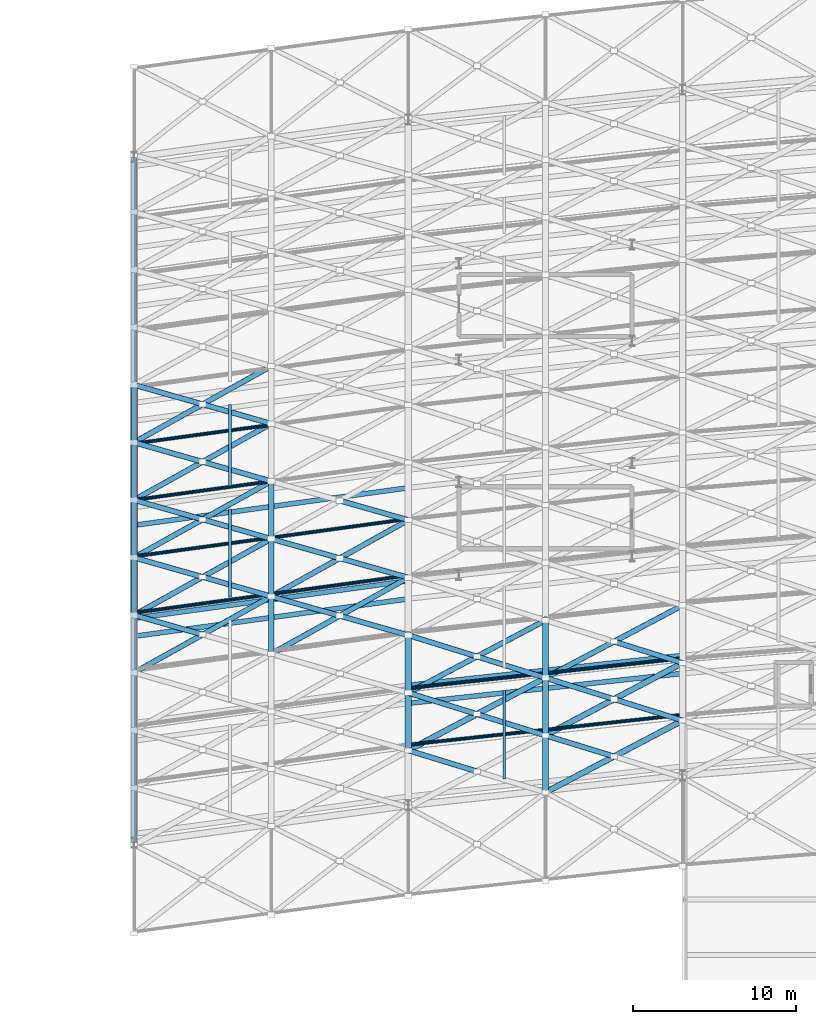
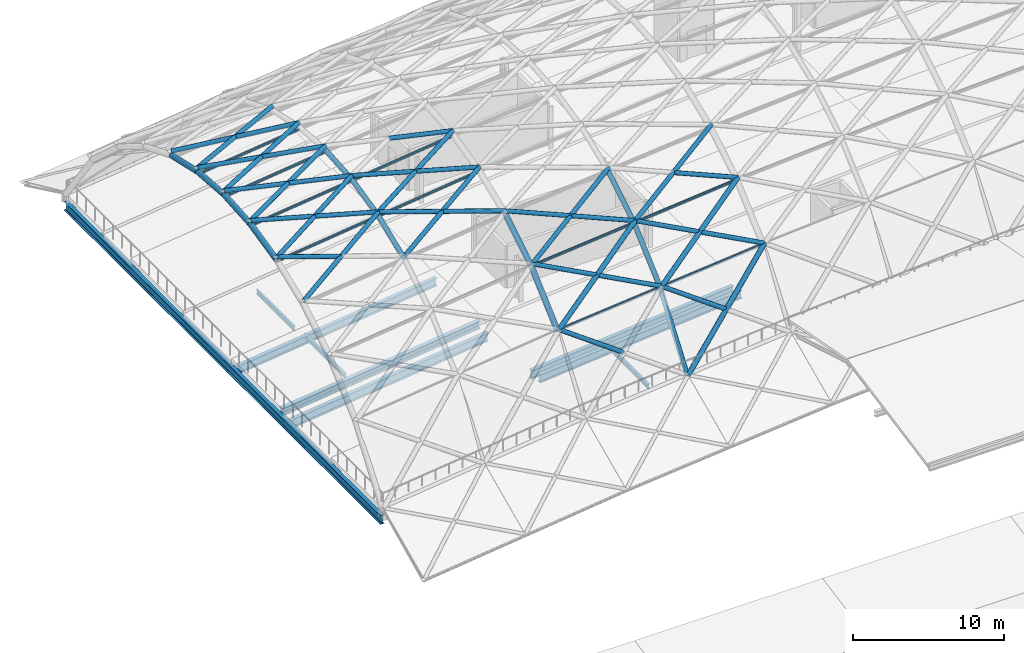
# One storey, part 12 of 100: 57 members, 9 beams.
"""IFC4 building model written with IfcOpenShell, lengths in metres."""

from ifc_helpers import new_model, si_unit, direction, frame, origin, origin_2d, place, context, subcontext, project, spatial, hollow_circle, i_section, extrude, material, material_profile, profile_set, type_object, element, save


model = new_model("IFC4")

# Units and contexts
model_context = context("Model", 3, precision=1e-05, world=origin(), true_north=direction((0.0, 1.0)))
body_context = subcontext(model_context, "Body", "Model", "MODEL_VIEW")
ifc_project = project(units=[si_unit("LENGTHUNIT", "METRE"), si_unit("AREAUNIT", "SQUARE_METRE"), si_unit("VOLUMEUNIT", "CUBIC_METRE"), si_unit("PLANEANGLEUNIT", "RADIAN"), si_unit("MASSUNIT", "GRAM", prefix="KILO")], contexts=[model_context])

# Site, building, storey
site_placement = place(None, origin())
site = spatial("IfcSite", under=ifc_project, at=site_placement, CompositionType="ELEMENT")
building_placement = place(site_placement, origin())
building = spatial("IfcBuilding", under=site, at=building_placement, Name="Kimbaza Rail Terminus", CompositionType="ELEMENT")
storey_placement = place(building_placement, frame((0.0, 0.0, 10.800048828125)))
storey = spatial("IfcBuildingStorey", under=building, at=storey_placement, Name="L02", CompositionType="ELEMENT", Elevation=10.800048828125)

# Beams
ifc_material_1 = material(Name="Steel S355", Category="steel")
ifc_material_profile_1 = material_profile(ifc_material_1, i_section(OverallWidth=0.300048828125, OverallDepth=0.64990234375, WebThickness=0.01611328125, FlangeThickness=0.031005859375, FilletRadius=0.027099609375, at=origin_2d()), Name="HEB 650")
ifc_profile_set_1 = profile_set([ifc_material_profile_1], Name="Steel S355")
beam_type_1 = type_object("IfcBeamType", Name="STR-BM-HEB650", PredefinedType="USERDEFINED", material=ifc_profile_set_1)
for number, where, z_axis, x_axis, name in (
    (1, (21.74365234375, 61.645751953125, -0.5849609375), (0.990777321611, 0.135500180745, 0.0), (-0.135500180745, 0.990777321611, 0.0), "Viaduct Chorded Girder P2 Bay 01"),
    (2, (21.74365234375, 67.345703125, -0.5849609375), (0.990777321611, 0.135500180745, 0.0), (-0.135500180745, 0.990777321611, 0.0), "Viaduct Chorded Girder P2 Bay 01"),
):
    element("IfcBeam", number, at=place(storey_placement, frame(where, z_axis=z_axis, x_axis=x_axis)), inside=storey, type_object=beam_type_1, Name=name, ObjectType="GIRDER", PredefinedType="USERDEFINED", context=body_context, shape_type="SweptSolid", body=[
        extrude(i_section(OverallWidth=0.300048828125, OverallDepth=0.64990234375, WebThickness=0.01611328125, FlangeThickness=0.031005859375, FilletRadius=0.027099609375, at=origin_2d()), origin(), (0.0, 0.0, 1.0), 16.66650390625),
    ])
beam_1_placement = place(storey_placement, frame((38.544189453125, 56.439208984375, -0.5849609375), z_axis=(0.994106987183, 0.108403404165, 0.0), x_axis=(-0.108403404165, 0.994106987183, 0.0)))
element("IfcBeam", 3, at=beam_1_placement, inside=storey, type_object=beam_type_1, Name="Viaduct Chorded Girder P1 Bay 02", ObjectType="GIRDER", PredefinedType="USERDEFINED", context=body_context, shape_type="SweptSolid", body=[
    extrude(i_section(OverallWidth=0.300048828125, OverallDepth=0.64990234375, WebThickness=0.01611328125, FlangeThickness=0.031005859375, FilletRadius=0.027099609375, at=origin_2d()), origin(), (0.0, 0.0, 1.0), 16.609619140625),
])
ifc_material_2 = material(Name="Steel S355", Category="steel")
ifc_material_profile_2 = material_profile(ifc_material_2, i_section(OverallWidth=0.300048828125, OverallDepth=0.699951171875, WebThickness=0.01708984375, FlangeThickness=0.031982421875, FilletRadius=0.027099609375, at=origin_2d()), Name="HEB 700")
ifc_profile_set_2 = profile_set([ifc_material_profile_2], Name="Steel S355")
beam_type_2 = type_object("IfcBeamType", Name="STR-BM-HEB700", PredefinedType="USERDEFINED", material=ifc_profile_set_2)
beam_2_placement = place(storey_placement, frame((21.60009765625, 47.8759765625, -0.920166015625), z_axis=(0.0, 1.0, 0.0), x_axis=(-1.0, 0.0, 0.0)))
element("IfcBeam", 4, at=beam_2_placement, inside=storey, type_object=beam_type_2, Name="Viaduct Pier Crosshead Girder VP-01", ObjectType="GIRDER", PredefinedType="USERDEFINED", context=body_context, shape_type="SweptSolid", body=[
    extrude(i_section(OverallWidth=0.300048828125, OverallDepth=0.699951171875, WebThickness=0.01708984375, FlangeThickness=0.031982421875, FilletRadius=0.027099609375, at=origin_2d()), origin(), (0.0, 0.0, 1.0), 42.0),
])
beam_3_placement = place(storey_placement, frame((21.74365234375, 60.545654296875, -0.920166015625), z_axis=(0.990777321611, 0.135500180745, 0.0), x_axis=(-0.135500180745, 0.990777321611, 0.0)))
element("IfcBeam", 5, at=beam_3_placement, inside=storey, type_object=beam_type_2, Name="Viaduct Chorded Girder TR12 Bay 01", ObjectType="GIRDER", PredefinedType="USERDEFINED", context=body_context, shape_type="SweptSolid", body=[
    extrude(i_section(OverallWidth=0.300048828125, OverallDepth=0.699951171875, WebThickness=0.01708984375, FlangeThickness=0.031982421875, FilletRadius=0.027099609375, at=origin_2d()), origin(), (0.0, 0.0, 1.0), 16.66650390625),
])
beam_4_placement = place(storey_placement, frame((38.544189453125, 57.539306640625, -0.920166015625), z_axis=(0.994108571086, 0.108388878093, 0.0), x_axis=(-0.108388878093, 0.994108571086, 0.0)))
element("IfcBeam", 6, at=beam_4_placement, inside=storey, type_object=beam_type_2, Name="Viaduct Chorded Girder TR12 Bay 02", ObjectType="GIRDER", PredefinedType="USERDEFINED", context=body_context, shape_type="SweptSolid", body=[
    extrude(i_section(OverallWidth=0.300048828125, OverallDepth=0.699951171875, WebThickness=0.01708984375, FlangeThickness=0.031982421875, FilletRadius=0.027099609375, at=origin_2d()), origin(), (0.0, 0.0, 1.0), 16.609619140625),
])
ifc_material_3 = material(Name="Steel S355", Category="steel")
ifc_material_profile_3 = material_profile(ifc_material_3, i_section(OverallWidth=0.169921875, OverallDepth=0.360107421875, WebThickness=0.008056640625, FlangeThickness=0.0126953125, FilletRadius=0.01806640625, at=origin_2d()), Name="IPE 360")
ifc_profile_set_3 = profile_set([ifc_material_profile_3], Name="Steel S355")
beam_type_3 = type_object("IfcBeamType", Name="STR-BM-IPE360", PredefinedType="JOIST", material=ifc_profile_set_3)
beam_5_placement = place(storey_placement, frame((27.47998046875, 62.919921875, -0.43994140625), z_axis=(0.0, 1.0, 0.0), x_axis=(-1.0, 0.0, 0.0)))
element("IfcBeam", 7, at=beam_5_placement, inside=storey, type_object=beam_type_3, Name="Viaduct Diaphragm P2 Bay 01", PredefinedType="JOIST", context=body_context, shape_type="SweptSolid", body=[
    extrude(i_section(OverallWidth=0.169921875, OverallDepth=0.360107421875, WebThickness=0.008056640625, FlangeThickness=0.0126953125, FilletRadius=0.01806640625, at=origin_2d()), origin(), (0.0, 0.0, 1.0), 5.409912109375),
])
beam_6_placement = place(storey_placement, frame((27.47998046875, 69.7197265625, -0.75), z_axis=(0.0, 1.0, 0.0), x_axis=(-1.0, 0.0, 0.0)))
element("IfcBeam", 8, at=beam_6_placement, inside=storey, type_object=beam_type_3, Name="Viaduct Diaphragm TR34 Bay 01", PredefinedType="JOIST", context=body_context, shape_type="SweptSolid", body=[
    extrude(i_section(OverallWidth=0.169921875, OverallDepth=0.360107421875, WebThickness=0.008056640625, FlangeThickness=0.0126953125, FilletRadius=0.01806640625, at=origin_2d()), origin(), (0.0, 0.0, 1.0), 5.010009765625),
])
beam_7_placement = place(storey_placement, frame((44.280029296875, 51.784423828125, -0.43994140625), z_axis=(0.0, 1.0, 0.0), x_axis=(-1.0, 0.0, 0.0)))
element("IfcBeam", 9, at=beam_7_placement, inside=storey, type_object=beam_type_3, Name="Viaduct Diaphragm P1 Bay 02", PredefinedType="JOIST", context=body_context, shape_type="SweptSolid", body=[
    extrude(i_section(OverallWidth=0.169921875, OverallDepth=0.360107421875, WebThickness=0.008056640625, FlangeThickness=0.0126953125, FilletRadius=0.01806640625, at=origin_2d()), origin(), (0.0, 0.0, 1.0), 5.41015625),
])

# Members
ifc_material_4 = material(Name="White painted steel S355", Category="steel")
ifc_material_profile_4 = material_profile(ifc_material_4, hollow_circle(Radius=0.109619140625, WallThickness=0.008056640625, at=origin_2d()), Name="CHS 219.1x8")
ifc_profile_set_4 = profile_set([ifc_material_profile_4], Name="White painted steel S355")
member_type_1 = type_object("IfcMemberType", Name="STR-MB-CHS219", PredefinedType="PURLIN", material=ifc_profile_set_4)
for number, where, z_axis, x_axis, name in (
    (10, (21.60009765625, 61.9619140625, 11.462158203125), (0.990775062808, 0.135516696087, 0.0), (-0.135516696087, 0.990775062808, 0.0), "Vault lattice longitudinal purlin VR-00-VA05"),
    (11, (21.60009765625, 65.4189453125, 12.25244140625), (0.990775062808, 0.135516696087, 0.0), (-0.135516696087, 0.990775062808, 0.0), "Vault lattice longitudinal purlin VR-00-VA06"),
    (12, (21.60009765625, 68.8759765625, 12.510009765625), (0.990775062808, 0.135516696087, 0.0), (-0.135516696087, 0.990775062808, 0.0), "Vault lattice longitudinal purlin VR-00-VA07"),
    (13, (21.60009765625, 72.3330078125, 12.25244140625), (0.990775062808, 0.135516696087, 0.0), (-0.135516696087, 0.990775062808, 0.0), "Vault lattice longitudinal purlin VR-00-VA08"),
    (14, (30.0, 63.11083984375, 11.462158203125), (0.990778928837, 0.135488428186, 0.0), (-0.135488428186, 0.990778928837, 0.0), "Vault lattice longitudinal purlin VR-01-VA05"),
    (15, (30.0, 66.56787109375, 12.25244140625), (0.990778928837, 0.135488428186, 0.0), (-0.135488428186, 0.990778928837, 0.0), "Vault lattice longitudinal purlin VR-01-VA06"),
):
    element("IfcMember", number, at=place(storey_placement, frame(where, z_axis=z_axis, x_axis=x_axis)), inside=storey, type_object=member_type_1, Name=name, PredefinedType="PURLIN", context=body_context, shape_type="SweptSolid", body=[
        extrude(hollow_circle(Radius=0.109619140625, WallThickness=0.008056640625, at=origin_2d()), origin(), (0.0, 0.0, 1.0), 8.47802734375),
    ])
for number, where, z_axis, x_axis, name in (
    (16, (38.39990234375, 53.888427734375, 4.85205078125), (0.994109932891, 0.108376387313, 0.0), (-0.108376387313, 0.994109932891, 0.0), "Vault lattice longitudinal purlin VR-02-VA02"),
    (17, (38.39990234375, 57.345458984375, 7.9716796875), (0.994109932891, 0.108376387313, 0.0), (-0.108376387313, 0.994109932891, 0.0), "Vault lattice longitudinal purlin VR-02-VA03"),
):
    element("IfcMember", number, at=place(storey_placement, frame(where, z_axis=z_axis, x_axis=x_axis)), inside=storey, type_object=member_type_1, Name=name, PredefinedType="PURLIN", context=body_context, shape_type="SweptSolid", body=[
        extrude(hollow_circle(Radius=0.109619140625, WallThickness=0.008056640625, at=origin_2d()), origin(), (0.0, 0.0, 1.0), 8.449951171875),
    ])
for number, where, z_axis, x_axis, name in (
    (18, (46.800048828125, 54.80419921875, 4.85205078125), (0.994106480102, 0.108408054216, 0.0), (-0.108408054216, 0.994106480102, 0.0), "Vault lattice longitudinal purlin VR-03-VA02"),
    (19, (46.800048828125, 58.26123046875, 7.9716796875), (0.994106480102, 0.108408054216, 0.0), (-0.108408054216, 0.994106480102, 0.0), "Vault lattice longitudinal purlin VR-03-VA03"),
):
    element("IfcMember", number, at=place(storey_placement, frame(where, z_axis=z_axis, x_axis=x_axis)), inside=storey, type_object=member_type_1, Name=name, PredefinedType="PURLIN", context=body_context, shape_type="SweptSolid", body=[
        extrude(hollow_circle(Radius=0.109619140625, WallThickness=0.008056640625, at=origin_2d()), origin(), (0.0, 0.0, 1.0), 8.44970703125),
    ])
ifc_material_5 = material(Name="White painted steel S355", Category="steel")
ifc_material_profile_5 = material_profile(ifc_material_5, hollow_circle(Radius=0.161865234375, WallThickness=0.010009765625, at=origin_2d()), Name="CHS 323.9x10")
ifc_profile_set_5 = profile_set([ifc_material_profile_5], Name="White painted steel S355")
member_type_2 = type_object("IfcMemberType", Name="STR-MB-CHS323", PredefinedType="STRUT", material=ifc_profile_set_5)
member_1_placement = place(storey_placement, frame((21.60009765625, 58.296142578125, 10.499755859375), z_axis=(0.864506391462, 0.481174719424, 0.145256974046), x_axis=(-0.486332783542, 0.873773668436, 0.0)))
element("IfcMember", 20, at=member_1_placement, inside=storey, type_object=member_type_2, Name="Vault lattice diagonal A VR-00-VA04", PredefinedType="STRUT", context=body_context, shape_type="SweptSolid", body=[
    extrude(hollow_circle(Radius=0.161865234375, WallThickness=0.010009765625, at=origin_2d()), origin(), (0.0, 0.0, 1.0), 9.71630859375),
])
member_2_placement = place(storey_placement, frame((25.800048828125, 60.6337890625, 11.20556640625), z_axis=(-0.949859093603, 0.268895761544, 0.159570585393), x_axis=(-0.272385973351, -0.962188069725, 0.0)))
element("IfcMember", 21, at=member_2_placement, inside=storey, type_object=member_type_2, Name="Vault lattice diagonal B2 VR-00-VA04", PredefinedType="STRUT", context=body_context, shape_type="SweptSolid", body=[
    extrude(hollow_circle(Radius=0.161865234375, WallThickness=0.010009765625, at=origin_2d()), origin(), (0.0, 0.0, 1.0), 4.421630859375),
])
member_3_placement = place(storey_placement, frame((21.60009765625, 61.82275390625, 11.9111328125), z_axis=(0.87071755489, 0.48463178446, 0.083564185498), x_axis=(-0.486332783542, 0.873773668436, 0.0)))
element("IfcMember", 22, at=member_3_placement, inside=storey, type_object=member_type_2, Name="Vault lattice diagonal A VR-00-VA05", PredefinedType="STRUT", context=body_context, shape_type="SweptSolid", body=[
    extrude(hollow_circle(Radius=0.161865234375, WallThickness=0.010009765625, at=origin_2d()), origin(), (0.0, 0.0, 1.0), 9.647216796875),
])
for number, where, z_axis, x_axis, name in (
    (23, (30.0, 62.971435546875, 11.9111328125), (-0.958111742966, 0.271232005362, 0.09195154843), (-0.272385973351, -0.962188069725, 0.0), "Vault lattice diagonal B1 VR-00-VA05"),
    (24, (25.800048828125, 64.160400390625, 12.314208984375), (-0.958111742966, 0.271232005362, 0.09195154843), (-0.272385973351, -0.962188069725, 0.0), "Vault lattice diagonal B2 VR-00-VA05"),
):
    element("IfcMember", number, at=place(storey_placement, frame(where, z_axis=z_axis, x_axis=x_axis)), inside=storey, type_object=member_type_2, Name=name, PredefinedType="STRUT", context=body_context, shape_type="SweptSolid", body=[
        extrude(hollow_circle(Radius=0.161865234375, WallThickness=0.010009765625, at=origin_2d()), origin(), (0.0, 0.0, 1.0), 4.383544921875),
    ])
member_4_placement = place(storey_placement, frame((21.60009765625, 65.349365234375, 12.71728515625), z_axis=(0.873436841779, 0.486170695719, 0.027315527575), x_axis=(-0.486352172507, 0.87376287647, 0.0)))
element("IfcMember", 25, at=member_4_placement, inside=storey, type_object=member_type_2, Name="Vault lattice diagonal A VR-00-VA06", PredefinedType="STRUT", context=body_context, shape_type="SweptSolid", body=[
    extrude(hollow_circle(Radius=0.161865234375, WallThickness=0.010009765625, at=origin_2d()), origin(), (0.0, 0.0, 1.0), 9.6171875),
])
for number, where, z_axis, x_axis, name in (
    (26, (30.0, 66.498046875, 12.71728515625), (-0.961752747069, 0.272262737791, 0.030077485202), (-0.272385973351, -0.962188069725, 0.0), "Vault lattice diagonal B1 VR-00-VA06"),
    (27, (25.800048828125, 67.68701171875, 12.8486328125), (-0.961752747069, 0.272262737791, 0.030077485202), (-0.272385973351, -0.962188069725, 0.0), "Vault lattice diagonal B2 VR-00-VA06"),
):
    element("IfcMember", number, at=place(storey_placement, frame(where, z_axis=z_axis, x_axis=x_axis)), inside=storey, type_object=member_type_2, Name=name, PredefinedType="STRUT", context=body_context, shape_type="SweptSolid", body=[
        extrude(hollow_circle(Radius=0.161865234375, WallThickness=0.010009765625, at=origin_2d()), origin(), (0.0, 0.0, 1.0), 4.366943359375),
    ])
member_5_placement = place(storey_placement, frame((21.60009765625, 68.8759765625, 12.97998046875), z_axis=(0.873436841779, 0.486170695719, -0.027315527575), x_axis=(-0.486352172507, 0.87376287647, 0.0)))
element("IfcMember", 28, at=member_5_placement, inside=storey, type_object=member_type_2, Name="Vault lattice diagonal A VR-00-VA07", PredefinedType="STRUT", context=body_context, shape_type="SweptSolid", body=[
    extrude(hollow_circle(Radius=0.161865234375, WallThickness=0.010009765625, at=origin_2d()), origin(), (0.0, 0.0, 1.0), 9.6171875),
])
for number, where, z_axis, x_axis, name in (
    (29, (30.0, 70.02490234375, 12.97998046875), (-0.961752747069, 0.272262737791, -0.030077485202), (-0.272385973351, -0.962188069725, 0.0), "Vault lattice diagonal B1 VR-00-VA07"),
    (30, (25.800048828125, 71.2138671875, 12.8486328125), (-0.961752747069, 0.272262737791, -0.030077485202), (-0.272385973351, -0.962188069725, 0.0), "Vault lattice diagonal B2 VR-00-VA07"),
):
    element("IfcMember", number, at=place(storey_placement, frame(where, z_axis=z_axis, x_axis=x_axis)), inside=storey, type_object=member_type_2, Name=name, PredefinedType="STRUT", context=body_context, shape_type="SweptSolid", body=[
        extrude(hollow_circle(Radius=0.161865234375, WallThickness=0.010009765625, at=origin_2d()), origin(), (0.0, 0.0, 1.0), 4.366943359375),
    ])
member_6_placement = place(storey_placement, frame((21.60009765625, 72.40283203125, 12.71728515625), z_axis=(0.87071755489, 0.48463178446, -0.083564185498), x_axis=(-0.486332783542, 0.873773668436, 0.0)))
element("IfcMember", 31, at=member_6_placement, inside=storey, type_object=member_type_2, Name="Vault lattice diagonal A VR-00-VA08", PredefinedType="STRUT", context=body_context, shape_type="SweptSolid", body=[
    extrude(hollow_circle(Radius=0.161865234375, WallThickness=0.010009765625, at=origin_2d()), origin(), (0.0, 0.0, 1.0), 9.647216796875),
])
for number, where, z_axis, x_axis, name in (
    (32, (30.0, 73.551513671875, 12.71728515625), (-0.958111742966, 0.271232005362, -0.09195154843), (-0.272385973351, -0.962188069725, 0.0), "Vault lattice diagonal B1 VR-00-VA08"),
    (33, (25.800048828125, 74.740478515625, 12.314208984375), (-0.958111742966, 0.271232005362, -0.09195154843), (-0.272385973351, -0.962188069725, 0.0), "Vault lattice diagonal B2 VR-00-VA08"),
):
    element("IfcMember", number, at=place(storey_placement, frame(where, z_axis=z_axis, x_axis=x_axis)), inside=storey, type_object=member_type_2, Name=name, PredefinedType="STRUT", context=body_context, shape_type="SweptSolid", body=[
        extrude(hollow_circle(Radius=0.161865234375, WallThickness=0.010009765625, at=origin_2d()), origin(), (0.0, 0.0, 1.0), 4.383544921875),
    ])
member_7_placement = place(storey_placement, frame((30.0, 59.44482421875, 10.499755859375), z_axis=(0.864495939243, 0.481194028147, 0.145255217833), x_axis=(-0.486352172507, 0.87376287647, 0.0)))
element("IfcMember", 34, at=member_7_placement, inside=storey, type_object=member_type_2, Name="Vault lattice diagonal A VR-01-VA04", PredefinedType="STRUT", context=body_context, shape_type="SweptSolid", body=[
    extrude(hollow_circle(Radius=0.161865234375, WallThickness=0.010009765625, at=origin_2d()), origin(), (0.0, 0.0, 1.0), 9.716552734375),
])
for number, where, z_axis, x_axis, name in (
    (35, (38.39990234375, 60.593505859375, 10.499755859375), (-0.949850723392, 0.26889339202, 0.159624393497), (-0.272385973351, -0.962188069725, 0.0), "Vault lattice diagonal B1 VR-01-VA04"),
    (36, (34.199951171875, 61.782470703125, 11.20556640625), (-0.949859093603, 0.268895761544, 0.159570585393), (-0.272385973351, -0.962188069725, 0.0), "Vault lattice diagonal B2 VR-01-VA04"),
):
    element("IfcMember", number, at=place(storey_placement, frame(where, z_axis=z_axis, x_axis=x_axis)), inside=storey, type_object=member_type_2, Name=name, PredefinedType="STRUT", context=body_context, shape_type="SweptSolid", body=[
        extrude(hollow_circle(Radius=0.161865234375, WallThickness=0.010009765625, at=origin_2d()), origin(), (0.0, 0.0, 1.0), 4.421630859375),
    ])
member_8_placement = place(storey_placement, frame((30.0, 62.971435546875, 11.9111328125), z_axis=(0.870706875765, 0.48465114741, 0.083563160605), x_axis=(-0.486352172507, 0.87376287647, 0.0)))
element("IfcMember", 37, at=member_8_placement, inside=storey, type_object=member_type_2, Name="Vault lattice diagonal A VR-01-VA05", PredefinedType="STRUT", context=body_context, shape_type="SweptSolid", body=[
    extrude(hollow_circle(Radius=0.161865234375, WallThickness=0.010009765625, at=origin_2d()), origin(), (0.0, 0.0, 1.0), 9.647216796875),
])
for number, where, z_axis, x_axis, name in (
    (38, (38.39990234375, 64.120361328125, 11.9111328125), (-0.958126215158, 0.271180406999, 0.09195293735), (-0.272334190538, -0.962202727425, 0.0), "Vault lattice diagonal B1 VR-01-VA05"),
    (39, (34.199951171875, 65.30908203125, 12.314208984375), (-0.958111742966, 0.271232005362, 0.09195154843), (-0.272385973351, -0.962188069725, 0.0), "Vault lattice diagonal B2 VR-01-VA05"),
):
    element("IfcMember", number, at=place(storey_placement, frame(where, z_axis=z_axis, x_axis=x_axis)), inside=storey, type_object=member_type_2, Name=name, PredefinedType="STRUT", context=body_context, shape_type="SweptSolid", body=[
        extrude(hollow_circle(Radius=0.161865234375, WallThickness=0.010009765625, at=origin_2d()), origin(), (0.0, 0.0, 1.0), 4.383544921875),
    ])
member_9_placement = place(storey_placement, frame((38.39990234375, 67.64697265625, 12.71728515625), z_axis=(-0.961752747069, 0.272262737791, 0.030077485202), x_axis=(-0.272385973351, -0.962188069725, 0.0)))
element("IfcMember", 40, at=member_9_placement, inside=storey, type_object=member_type_2, Name="Vault lattice diagonal B1 VR-01-VA06", PredefinedType="STRUT", context=body_context, shape_type="SweptSolid", body=[
    extrude(hollow_circle(Radius=0.161865234375, WallThickness=0.010009765625, at=origin_2d()), origin(), (0.0, 0.0, 1.0), 4.366943359375),
])
member_10_placement = place(storey_placement, frame((42.60009765625, 52.252685546875, 2.615966796875), z_axis=(-0.826736159751, 0.253441438417, 0.502269608331), x_axis=(-0.293093781494, -0.956083696781, 0.0)))
element("IfcMember", 41, at=member_10_placement, inside=storey, type_object=member_type_2, Name="Vault lattice diagonal B2 VR-02-VA01", PredefinedType="STRUT", context=body_context, shape_type="SweptSolid", body=[
    extrude(hollow_circle(Radius=0.161865234375, WallThickness=0.010009765625, at=origin_2d()), origin(), (0.0, 0.0, 1.0), 5.08056640625),
])
member_11_placement = place(storey_placement, frame((46.800048828125, 54.456298828125, 5.167724609375), z_axis=(-0.897980421966, 0.279056172518, 0.340233470347), x_axis=(-0.296760615771, -0.954951902939, 0.0)))
element("IfcMember", 42, at=member_11_placement, inside=storey, type_object=member_type_2, Name="Vault lattice diagonal B1 VR-02-VA02", PredefinedType="STRUT", context=body_context, shape_type="SweptSolid", body=[
    extrude(hollow_circle(Radius=0.161865234375, WallThickness=0.010009765625, at=origin_2d()), origin(), (0.0, 0.0, 1.0), 4.677001953125),
])
member_12_placement = place(storey_placement, frame((42.60009765625, 55.761474609375, 6.759033203125), z_axis=(-0.897977448357, 0.279091223923, 0.340212567333), x_axis=(-0.29679550395, -0.954941060399, 0.0)))
element("IfcMember", 43, at=member_12_placement, inside=storey, type_object=member_type_2, Name="Vault lattice diagonal B2 VR-02-VA02", PredefinedType="STRUT", context=body_context, shape_type="SweptSolid", body=[
    extrude(hollow_circle(Radius=0.161865234375, WallThickness=0.010009765625, at=origin_2d()), origin(), (0.0, 0.0, 1.0), 4.677490234375),
])
member_13_placement = place(storey_placement, frame((38.39990234375, 57.06689453125, 8.350341796875), z_axis=(0.862202786726, 0.455997445579, 0.220618866345), x_axis=(-0.467517020332, 0.883984069823, 0.0)))
element("IfcMember", 44, at=member_13_placement, inside=storey, type_object=member_type_2, Name="Vault lattice diagonal A VR-02-VA03", PredefinedType="STRUT", context=body_context, shape_type="SweptSolid", body=[
    extrude(hollow_circle(Radius=0.161865234375, WallThickness=0.010009765625, at=origin_2d()), origin(), (0.0, 0.0, 1.0), 9.74267578125),
])
for number, where, z_axis, x_axis, name in (
    (45, (46.800048828125, 57.98291015625, 8.350341796875), (-0.927643307476, 0.288328126785, 0.237370565571), (-0.296811236638, -0.95493617054, 0.0), "Vault lattice diagonal B1 VR-02-VA03"),
    (46, (42.60009765625, 59.288330078125, 9.425048828125), (-0.927665248331, 0.288264265146, 0.237362382188), (-0.296744885248, -0.95495679121, 0.0), "Vault lattice diagonal B2 VR-02-VA03"),
):
    element("IfcMember", number, at=place(storey_placement, frame(where, z_axis=z_axis, x_axis=x_axis)), inside=storey, type_object=member_type_2, Name=name, PredefinedType="STRUT", context=body_context, shape_type="SweptSolid", body=[
        extrude(hollow_circle(Radius=0.161865234375, WallThickness=0.010009765625, at=origin_2d()), origin(), (0.0, 0.0, 1.0), 4.527587890625),
    ])
member_14_placement = place(storey_placement, frame((51.0, 53.168701171875, 2.615966796875), z_axis=(-0.826720949123, 0.253451507625, 0.502289563462), x_axis=(-0.293109355165, -0.95607892243, 0.0)))
element("IfcMember", 47, at=member_14_placement, inside=storey, type_object=member_type_2, Name="Vault lattice diagonal B2 VR-03-VA01", PredefinedType="STRUT", context=body_context, shape_type="SweptSolid", body=[
    extrude(hollow_circle(Radius=0.161865234375, WallThickness=0.010009765625, at=origin_2d()), origin(), (0.0, 0.0, 1.0), 5.080322265625),
])
for number, where, z_axis, x_axis, name in (
    (48, (55.199951171875, 55.3720703125, 5.167724609375), (-0.897967340624, 0.279104305663, 0.340228513991), (-0.296811236638, -0.95493617054, 0.0), "Vault lattice diagonal B1 VR-03-VA02"),
    (49, (51.0, 56.677490234375, 6.759033203125), (-0.897967340624, 0.279104305663, 0.340228513991), (-0.296811236638, -0.95493617054, 0.0), "Vault lattice diagonal B2 VR-03-VA02"),
):
    element("IfcMember", number, at=place(storey_placement, frame(where, z_axis=z_axis, x_axis=x_axis)), inside=storey, type_object=member_type_2, Name=name, PredefinedType="STRUT", context=body_context, shape_type="SweptSolid", body=[
        extrude(hollow_circle(Radius=0.161865234375, WallThickness=0.010009765625, at=origin_2d()), origin(), (0.0, 0.0, 1.0), 4.67724609375),
    ])
member_15_placement = place(storey_placement, frame((46.800048828125, 57.98291015625, 8.350341796875), z_axis=(0.862196356235, 0.456007297983, 0.220623633096), x_axis=(-0.46752763846, 0.883978454079, 0.0)))
element("IfcMember", 50, at=member_15_placement, inside=storey, type_object=member_type_2, Name="Vault lattice diagonal A VR-03-VA03", PredefinedType="STRUT", context=body_context, shape_type="SweptSolid", body=[
    extrude(hollow_circle(Radius=0.161865234375, WallThickness=0.010009765625, at=origin_2d()), origin(), (0.0, 0.0, 1.0), 9.742431640625),
])
member_16_placement = place(storey_placement, frame((55.199951171875, 58.898681640625, 8.350341796875), z_axis=(-0.927643307476, 0.288328126785, 0.237370565571), x_axis=(-0.296811236638, -0.95493617054, 0.0)))
element("IfcMember", 51, at=member_16_placement, inside=storey, type_object=member_type_2, Name="Vault lattice diagonal B1 VR-03-VA03", PredefinedType="STRUT", context=body_context, shape_type="SweptSolid", body=[
    extrude(hollow_circle(Radius=0.161865234375, WallThickness=0.010009765625, at=origin_2d()), origin(), (0.0, 0.0, 1.0), 4.527587890625),
])
ifc_material_6 = material(Name="White painted steel S355", Category="steel")
ifc_material_profile_6 = material_profile(ifc_material_6, hollow_circle(Radius=0.177734375, WallThickness=0.012451171875, at=origin_2d()), Name="CHS 355.6x12.5")
ifc_profile_set_6 = profile_set([ifc_material_profile_6], Name="White painted steel S355")
member_type_3 = type_object("IfcMemberType", Name="STR-MB-CHS355", PredefinedType="CHORD", material=ifc_profile_set_6)
member_17_placement = place(storey_placement, frame((30.0, 59.578125, 10.23095703125), z_axis=(0.0, 0.928413829694, 0.37154779078), x_axis=(-1.0, 0.0, 0.0)))
element("IfcMember", 52, at=member_17_placement, inside=storey, type_object=member_type_3, Name="Vault lattice arch chord VR-01 seg 5", PredefinedType="CHORD", context=body_context, shape_type="SweptSolid", body=[
    extrude(hollow_circle(Radius=0.177734375, WallThickness=0.012451171875, at=origin_2d()), origin(), (0.0, 0.0, 1.0), 3.750732421875),
])
member_18_placement = place(storey_placement, frame((30.0, 63.060302734375, 11.62451171875), z_axis=(0.0, 0.974845354939, 0.22288233208), x_axis=(-1.0, 0.0, 0.0)))
element("IfcMember", 53, at=member_18_placement, inside=storey, type_object=member_type_3, Name="Vault lattice arch chord VR-01 seg 6", PredefinedType="CHORD", context=body_context, shape_type="SweptSolid", body=[
    extrude(hollow_circle(Radius=0.177734375, WallThickness=0.012451171875, at=origin_2d()), origin(), (0.0, 0.0, 1.0), 3.572021484375),
])
member_19_placement = place(storey_placement, frame((30.0, 66.54248046875, 12.420654296875), z_axis=(0.0, 0.997239832813, 0.074247665623), x_axis=(-1.0, 0.0, 0.0)))
element("IfcMember", 54, at=member_19_placement, inside=storey, type_object=member_type_3, Name="Vault lattice arch chord VR-01 seg 7", PredefinedType="CHORD", context=body_context, shape_type="SweptSolid", body=[
    extrude(hollow_circle(Radius=0.177734375, WallThickness=0.012451171875, at=origin_2d()), origin(), (0.0, 0.0, 1.0), 3.491943359375),
])
member_20_placement = place(storey_placement, frame((46.800048828125, 51.089599609375, 0.0), z_axis=(0.0, 0.585733481953, 0.810503724926), x_axis=(-1.0, 0.0, 0.0)))
element("IfcMember", 55, at=member_20_placement, inside=storey, type_object=member_type_3, Name="Vault lattice arch chord VR-03 seg 2", PredefinedType="CHORD", context=body_context, shape_type="SweptSolid", body=[
    extrude(hollow_circle(Radius=0.177734375, WallThickness=0.012451171875, at=origin_2d()), origin(), (0.0, 0.0, 1.0), 6.127197265625),
])
member_21_placement = place(storey_placement, frame((46.800048828125, 54.678466796875, 4.966064453125), z_axis=(0.0, 0.742379857618, 0.669979213859), x_axis=(-1.0, 0.0, 0.0)))
element("IfcMember", 56, at=member_21_placement, inside=storey, type_object=member_type_3, Name="Vault lattice arch chord VR-03 seg 3", PredefinedType="CHORD", context=body_context, shape_type="SweptSolid", body=[
    extrude(hollow_circle(Radius=0.177734375, WallThickness=0.012451171875, at=origin_2d()), origin(), (0.0, 0.0, 1.0), 4.690673828125),
])
member_22_placement = place(storey_placement, frame((46.800048828125, 58.16064453125, 8.108642578125), z_axis=(0.0, 0.853901304322, 0.520434974302), x_axis=(-1.0, 0.0, 0.0)))
element("IfcMember", 57, at=member_22_placement, inside=storey, type_object=member_type_3, Name="Vault lattice arch chord VR-03 seg 4", PredefinedType="CHORD", context=body_context, shape_type="SweptSolid", body=[
    extrude(hollow_circle(Radius=0.177734375, WallThickness=0.012451171875, at=origin_2d()), origin(), (0.0, 0.0, 1.0), 4.077880859375),
])
member_23_placement = place(storey_placement, frame((38.39990234375, 53.540283203125, 5.167724609375), z_axis=(0.838220900018, 0.443314026728, 0.317582109822), x_axis=(-0.467517020332, 0.883984069823, 0.0)))
element("IfcMember", 58, at=member_23_placement, inside=storey, type_object=member_type_3, Name="Vault lattice diagonal A VR-02-VA02", PredefinedType="CHORD", context=body_context, shape_type="SweptSolid", body=[
    extrude(hollow_circle(Radius=0.177734375, WallThickness=0.012451171875, at=origin_2d()), origin(), (0.0, 0.0, 1.0), 10.021484375),
])
member_24_placement = place(storey_placement, frame((46.800048828125, 50.965087890625, 0.064208984375), z_axis=(0.77982488755, 0.409132681659, 0.473796996145), x_axis=(-0.464588737512, 0.885526569323, 0.0)))
element("IfcMember", 59, at=member_24_placement, inside=storey, type_object=member_type_3, Name="Vault lattice diagonal A VR-03-VA01", PredefinedType="CHORD", context=body_context, shape_type="SweptSolid", body=[
    extrude(hollow_circle(Radius=0.177734375, WallThickness=0.012451171875, at=origin_2d()), origin(), (0.0, 0.0, 1.0), 10.771484375),
])
member_25_placement = place(storey_placement, frame((46.800048828125, 54.456298828125, 5.167724609375), z_axis=(0.838222707869, 0.443303504981, 0.317592025222), x_axis=(-0.467507561467, 0.883989072314, 0.0)))
element("IfcMember", 60, at=member_25_placement, inside=storey, type_object=member_type_3, Name="Vault lattice diagonal A VR-03-VA02", PredefinedType="CHORD", context=body_context, shape_type="SweptSolid", body=[
    extrude(hollow_circle(Radius=0.177734375, WallThickness=0.012451171875, at=origin_2d()), origin(), (0.0, 0.0, 1.0), 10.02099609375),
])
ifc_material_7 = material(Name="White painted steel S355", Category="steel")
ifc_material_profile_7 = material_profile(ifc_material_7, hollow_circle(Radius=0.203125, WallThickness=0.01416015625, at=origin_2d()), Name="CHS 406.4x14.2")
ifc_profile_set_7 = profile_set([ifc_material_profile_7], Name="White painted steel S355")
member_type_4 = type_object("IfcMemberType", Name="STR-MB-CHS406", PredefinedType="CHORD", material=ifc_profile_set_7)
member_26_placement = place(storey_placement, frame((21.60009765625, 61.91162109375, 11.62451171875), z_axis=(0.0, 0.974845354939, 0.22288233208), x_axis=(-1.0, 0.0, 0.0)))
element("IfcMember", 61, at=member_26_placement, inside=storey, type_object=member_type_4, Name="Vault lattice arch chord VR-00 seg 6", PredefinedType="CHORD", context=body_context, shape_type="SweptSolid", body=[
    extrude(hollow_circle(Radius=0.203125, WallThickness=0.01416015625, at=origin_2d()), origin(), (0.0, 0.0, 1.0), 3.572021484375),
])
for number, where, z_axis, x_axis, name in (
    (62, (21.60009765625, 65.393798828125, 12.420654296875), (0.0, 0.997239447362, 0.074252842537), (-1.0, 0.0, 0.0), "Vault lattice arch chord VR-00 seg 7"),
    (63, (21.60009765625, 68.8759765625, 12.679931640625), (0.0, 0.997239447362, -0.074252842537), (-1.0, 0.0, 0.0), "Vault lattice arch chord VR-00 seg 8"),
):
    element("IfcMember", number, at=place(storey_placement, frame(where, z_axis=z_axis, x_axis=x_axis)), inside=storey, type_object=member_type_4, Name=name, PredefinedType="CHORD", context=body_context, shape_type="SweptSolid", body=[
        extrude(hollow_circle(Radius=0.203125, WallThickness=0.01416015625, at=origin_2d()), origin(), (0.0, 0.0, 1.0), 3.49169921875),
    ])
member_27_placement = place(storey_placement, frame((21.60009765625, 72.358154296875, 12.420654296875), z_axis=(0.0, 0.974848749884, -0.22286748271), x_axis=(-1.0, 0.0, 0.0)))
element("IfcMember", 64, at=member_27_placement, inside=storey, type_object=member_type_4, Name="Vault lattice arch chord VR-00 seg 9", PredefinedType="CHORD", context=body_context, shape_type="SweptSolid", body=[
    extrude(hollow_circle(Radius=0.203125, WallThickness=0.01416015625, at=origin_2d()), origin(), (0.0, 0.0, 1.0), 3.572265625),
])
member_28_placement = place(storey_placement, frame((38.39990234375, 53.762451171875, 4.966064453125), z_axis=(0.0, 0.742379857618, 0.669979213859), x_axis=(-1.0, 0.0, 0.0)))
element("IfcMember", 65, at=member_28_placement, inside=storey, type_object=member_type_4, Name="Vault lattice arch chord VR-02 seg 3", PredefinedType="CHORD", context=body_context, shape_type="SweptSolid", body=[
    extrude(hollow_circle(Radius=0.203125, WallThickness=0.01416015625, at=origin_2d()), origin(), (0.0, 0.0, 1.0), 4.690673828125),
])
member_29_placement = place(storey_placement, frame((38.39990234375, 57.24462890625, 8.108642578125), z_axis=(0.0, 0.853901304322, 0.520434974302), x_axis=(-1.0, 0.0, 0.0)))
element("IfcMember", 66, at=member_29_placement, inside=storey, type_object=member_type_4, Name="Vault lattice arch chord VR-02 seg 4", PredefinedType="CHORD", context=body_context, shape_type="SweptSolid", body=[
    extrude(hollow_circle(Radius=0.203125, WallThickness=0.01416015625, at=origin_2d()), origin(), (0.0, 0.0, 1.0), 4.077880859375),
])

save(model, "model.ifc")
